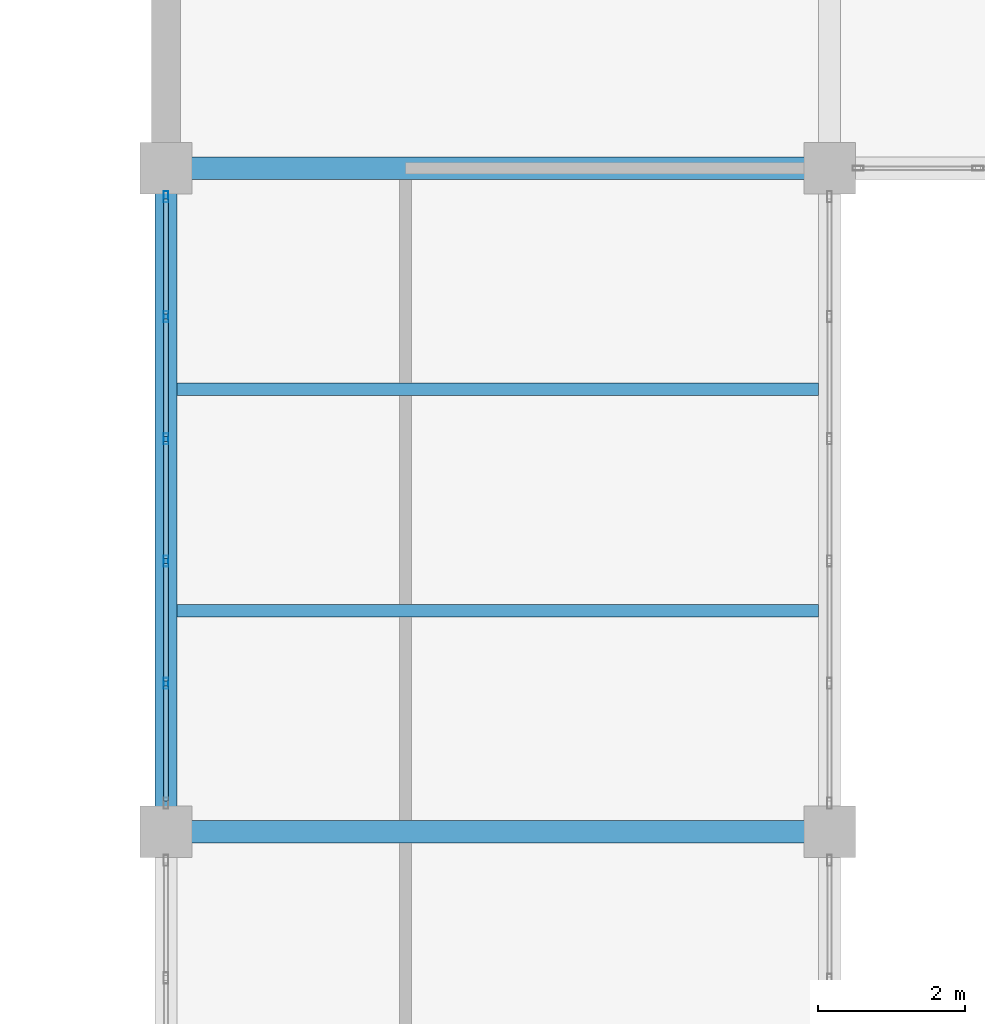
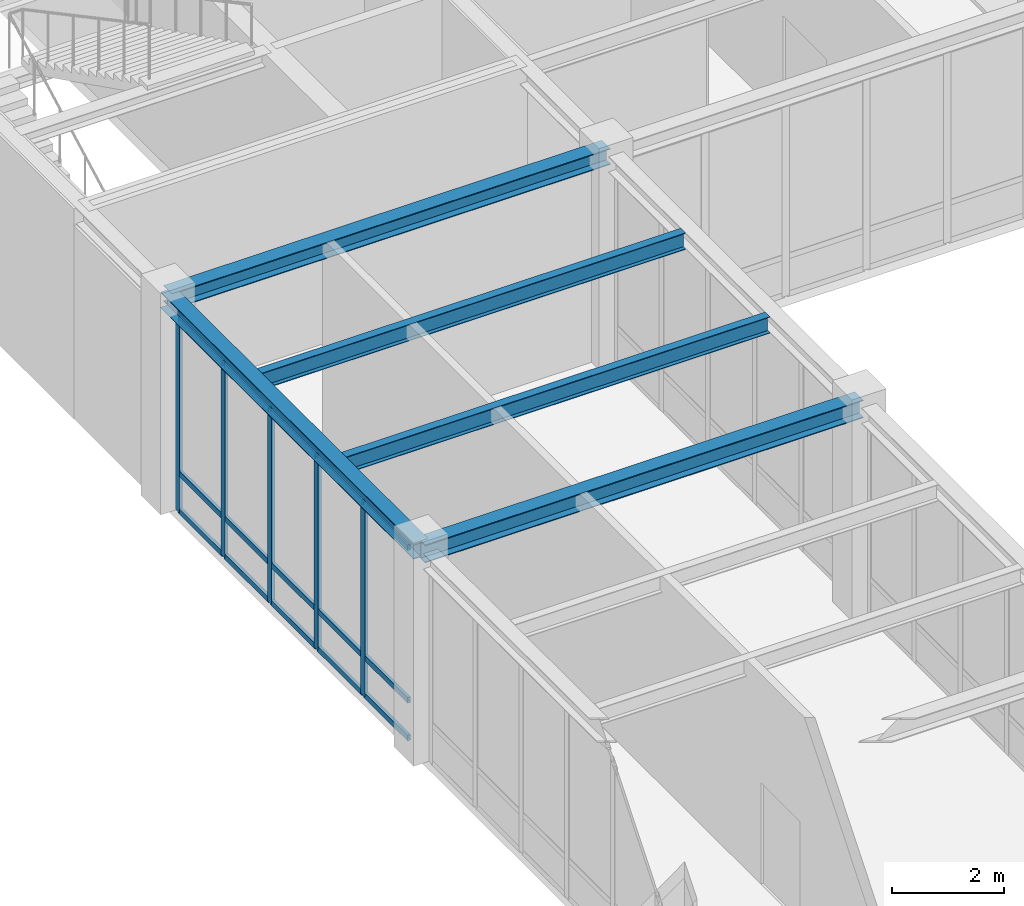
# One storey, part 23 of 92: 20 members, 5 beams, 1 element without a shape of its own.
"""IFC4 building model written with IfcOpenShell, lengths in metres."""

import ifcopenshell
import ifcopenshell.guid

model = None  # the IFC model being written
_history = None  # IfcOwnerHistory: only IFC2X3 demands one
_inside = {}  # id of a spatial element -> (the spatial element, [elements in it])
_under = {}  # id of a project, library or spatial element -> (it, [spatial elements below it])
_declared = {}  # id of a project -> (the project, [libraries it declares])
_typed = {}  # id of a type object -> (the type object, [elements of that type])
_made_of = {}  # id of a material, layer set ... -> (it, [elements and type objects made of it])


def new_model(schema):
    """Start an empty IFC model of exactly this schema.

    Asked for "IFC4X3", IfcOpenShell would pick the latest addendum, in which some entities
    have other attributes; the version numbers below select the first issue.
    IFC2X3 requires an IfcOwnerHistory on every rooted entity: one is made here for all.
    """
    global model, _history
    if schema == "IFC4X3":
        model = ifcopenshell.file(schema_version=(4, 3, 0, 0))
    else:
        model = ifcopenshell.file(schema=schema)
    _inside.clear()
    _under.clear()
    _declared.clear()
    _typed.clear()
    _made_of.clear()
    _history = None
    if model.schema == "IFC2X3":
        org = make("IfcOrganization", Name="unknown")
        user = make(
            "IfcPersonAndOrganization",
            ThePerson=make("IfcPerson", FamilyName="unknown"),
            TheOrganization=org,
        )
        app = make(
            "IfcApplication",
            ApplicationDeveloper=org,
            Version="unknown",
            ApplicationFullName="unknown",
            ApplicationIdentifier="unknown",
        )
        _history = make(
            "IfcOwnerHistory",
            OwningUser=user,
            OwningApplication=app,
            ChangeAction="ADDED",
            CreationDate=0,
        )
    return model


def make(cls, **values):
    """One entity of the class cls with the attributes given. An attribute that is None is left unset."""
    return model.create_entity(
        cls, **{name: value for name, value in values.items() if value is not None}
    )


def rooted(cls, **values):
    """An entity with a GlobalId (a new one), such as an element, a storey or a relation."""
    return make(cls, GlobalId=ifcopenshell.guid.new(), OwnerHistory=_history, **values)


def si_unit(unit_type, name, prefix=None):
    """IfcSIUnit, for example si_unit("LENGTHUNIT", "METRE", prefix="MILLI")."""
    return make("IfcSIUnit", UnitType=unit_type, Prefix=prefix, Name=name)


def assignment(units):
    """IfcUnitAssignment: the units of a project."""
    return None if units is None else make("IfcUnitAssignment", Units=units)


def point(xyz):
    """IfcCartesianPoint."""
    return None if xyz is None else make("IfcCartesianPoint", Coordinates=xyz)


def direction(xyz):
    """IfcDirection."""
    return None if xyz is None else make("IfcDirection", DirectionRatios=xyz)


def frame(location, z_axis=None, x_axis=None):
    """IfcAxis2Placement3D, a coordinate frame: its origin and axes. An axis left out is left unset."""
    return make(
        "IfcAxis2Placement3D",
        Location=point(location),
        Axis=direction(z_axis),
        RefDirection=direction(x_axis),
    )


def frame_2d(location, x_axis=None):
    """IfcAxis2Placement2D, a coordinate frame in the plane: its origin and x axis."""
    return make(
        "IfcAxis2Placement2D", Location=point(location), RefDirection=direction(x_axis)
    )


def origin():
    """The frame at (0, 0, 0) with its axes left unset."""
    return frame((0.0, 0.0, 0.0))


def origin_2d():
    """The frame at (0, 0) in the plane with its x axis left unset."""
    return frame_2d((0.0, 0.0))


def place(relative_to, where):
    """IfcLocalPlacement: puts the frame where relative to a parent placement (None: the world)."""
    return make(
        "IfcLocalPlacement", PlacementRelTo=relative_to, RelativePlacement=where
    )


def context(
    kind, dimensions, precision=None, world=None, true_north=None, identifier=None
):
    """IfcGeometricRepresentationContext, for example the 3D "Model" context."""
    return make(
        "IfcGeometricRepresentationContext",
        ContextIdentifier=identifier,
        ContextType=kind,
        CoordinateSpaceDimension=dimensions,
        Precision=precision,
        WorldCoordinateSystem=world,
        TrueNorth=true_north,
    )


def subcontext(parent, identifier, kind, view, scale=None):
    """IfcGeometricRepresentationSubContext, for example "Body" below "Model"."""
    return make(
        "IfcGeometricRepresentationSubContext",
        ContextIdentifier=identifier,
        ContextType=kind,
        ParentContext=parent,
        TargetScale=scale,
        TargetView=view,
    )


def project(units=None, contexts=None):
    """IfcProject with its units and contexts."""
    return rooted(
        "IfcProject",
        Name="project",
        RepresentationContexts=contexts,
        UnitsInContext=assignment(units),
    )


def spatial(cls, under=None, at=None, **own):
    """A site, building, storey or space (cls), placed at a placement, below another one or the project."""
    s = rooted(cls, ObjectPlacement=at, **own)
    if under is not None:
        _under.setdefault(under.id(), (under, []))[1].append(s)
    return s


def profile(cls, at=None, kind="AREA", **sizes):
    """A parametric profile (cls). Its sizes go by their IFC names, for example OverallWidth=200.0."""
    return make(cls, ProfileType=kind, Position=at, **sizes)


def hollow_rectangle(**sizes):
    """IfcRectangleHollowProfileDef."""
    return profile("IfcRectangleHollowProfileDef", **sizes)


def i_section(**sizes):
    """IfcIShapeProfileDef."""
    return profile("IfcIShapeProfileDef", **sizes)


def extrude(swept, where, along, depth):
    """IfcExtrudedAreaSolid: the profile swept, set in the frame where, extruded along a direction by depth."""
    return make(
        "IfcExtrudedAreaSolid",
        SweptArea=swept,
        Position=where,
        ExtrudedDirection=direction(along),
        Depth=depth,
    )


def shape(context_of_items, identifier, shape_type, items):
    """IfcShapeRepresentation: the items that make up one representation, for example the "Body"."""
    return make(
        "IfcShapeRepresentation",
        ContextOfItems=context_of_items,
        RepresentationIdentifier=identifier,
        RepresentationType=shape_type,
        Items=items,
    )


def material(Name=None, Category=None):
    """IfcMaterial."""
    return make("IfcMaterial", Name=Name, Category=Category)


def material_profile(
    of_material, cross_section, Name=None, Category=None, Priority=None
):
    """IfcMaterialProfile: a cross section and its material."""
    return make(
        "IfcMaterialProfile",
        Name=Name,
        Material=of_material,
        Profile=cross_section,
        Priority=Priority,
        Category=Category,
    )


def profile_set(profiles, Name=None, composite=None):
    """IfcMaterialProfileSet."""
    return make(
        "IfcMaterialProfileSet",
        Name=Name,
        MaterialProfiles=profiles,
        CompositeProfile=composite,
    )


def made_of(thing, what):
    """Note that an element or type object is made of a material, layer set ...; save() writes the relation."""
    if what is not None:
        _made_of.setdefault(what.id(), (what, []))[1].append(thing)
    return thing


def type_object(cls, material=None, **own):
    """A type object (cls), such as IfcWallType, which elements share."""
    return made_of(rooted(cls, **own), material)


def element(
    cls,
    number,
    at=None,
    inside=None,
    cuts=None,
    type_object=None,
    material=None,
    context=None,
    identifier="Body",
    shape_type=None,
    held_by="IfcProductDefinitionShape",
    body=None,
    shapes=None,
    **own,
):
    """One element of the class cls, such as IfcWall. Its Tag is "e" and its number.

    at: its placement. inside: the storey or other place that contains it. cuts: it is an
    opening in that element (IfcRelVoidsElement). A single representation is given by context,
    identifier, shape_type and body (its items); several are given by shapes. held_by: the class
    of the entity that holds the representations. save() writes the other relations.
    """
    e = rooted(cls, Tag="e%d" % number, ObjectPlacement=at, **own)
    if body is not None:
        shapes = [shape(context, identifier, shape_type, body)]
    if shapes is not None:
        e.Representation = make(held_by, Representations=shapes)
    if inside is not None:
        _inside.setdefault(inside.id(), (inside, []))[1].append(e)
    if cuts is not None:
        rooted(
            "IfcRelVoidsElement", RelatingBuildingElement=cuts, RelatedOpeningElement=e
        )
    if type_object is not None:
        _typed.setdefault(type_object.id(), (type_object, []))[1].append(e)
    return made_of(e, material)


def aggregate(whole, parts):
    """IfcRelAggregates: a whole, such as a stair, and the parts it consists of."""
    return rooted("IfcRelAggregates", RelatingObject=whole, RelatedObjects=parts)


def save(model, path):
    """Write the relations noted so far, then the file.

    IfcRelAggregates (storeys below a building ...), IfcRelContainedInSpatialStructure (elements
    in a storey), IfcRelDefinesByType, IfcRelAssociatesMaterial and IfcRelDeclares: one each for
    every whole, place, type object, material and project.
    """
    for whole, parts in _under.values():
        aggregate(whole, parts)
    for where, things in _inside.values():
        rooted(
            "IfcRelContainedInSpatialStructure",
            RelatedElements=things,
            RelatingStructure=where,
        )
    for kind, things in _typed.values():
        rooted("IfcRelDefinesByType", RelatedObjects=things, RelatingType=kind)
    for what, things in _made_of.values():
        rooted("IfcRelAssociatesMaterial", RelatedObjects=things, RelatingMaterial=what)
    for by, libraries in _declared.values():
        rooted("IfcRelDeclares", RelatingContext=by, RelatedDefinitions=libraries)
    model.write(path)


model = new_model("IFC4")

# Units and contexts
model_context = context("Model", 3, precision=1e-05, world=origin(), true_north=direction((0.0, 1.0)))
body_context = subcontext(model_context, "Body", "Model", "MODEL_VIEW")
ifc_project = project(units=[si_unit("LENGTHUNIT", "METRE"), si_unit("AREAUNIT", "SQUARE_METRE"), si_unit("VOLUMEUNIT", "CUBIC_METRE"), si_unit("PLANEANGLEUNIT", "RADIAN"), si_unit("MASSUNIT", "GRAM", prefix="KILO")], contexts=[model_context])

# Site, building, storey
site_placement = place(None, origin())
site = spatial("IfcSite", under=ifc_project, at=site_placement, CompositionType="ELEMENT")
building_placement = place(site_placement, origin())
building = spatial("IfcBuilding", under=site, at=building_placement, Name="Lykobir Media Centre", CompositionType="ELEMENT")
storey_placement = place(building_placement, frame((0.0, 0.0, 5.39990234375)))
storey = spatial("IfcBuildingStorey", under=building, at=storey_placement, Name="L01", CompositionType="ELEMENT", Elevation=5.39990234375)

# Beam
ifc_material_1 = material(Name="Steel S355", Category="steel")
ifc_material_profile_1 = material_profile(ifc_material_1, i_section(OverallWidth=0.300048828125, OverallDepth=0.389892578125, WebThickness=0.010986328125, FlangeThickness=0.01904296875, at=origin_2d()), Name="HEA 400")
ifc_profile_set_1 = profile_set([ifc_material_profile_1], Name="Steel S355")
beam_type_1 = type_object("IfcBeamType", Name="BM-HEA400", PredefinedType="BEAM", material=ifc_profile_set_1)
beam_placement = place(storey_placement, frame((27.0, 54.0, 4.364990234375), z_axis=(1.0, 0.0, 0.0), x_axis=(0.0, 1.0, 0.0)))
element("IfcBeam", 1, at=beam_placement, inside=storey, type_object=beam_type_1, Name="Beam BM-L01-0270-0540-0360-0540-976", PredefinedType="BEAM", context=body_context, shape_type="SweptSolid", body=[
    extrude(i_section(OverallWidth=0.300048828125, OverallDepth=0.389892578125, WebThickness=0.010986328125, FlangeThickness=0.01904296875, at=origin_2d()), origin(), (0.0, 0.0, 1.0), 9.0),
])

# Curtain wall, members
ifc_material_2 = material(Name="Anodized Aluminium AW-6060", Category="aluminium")
curtain_wall_type = type_object("IfcCurtainWallType", Name="CW-COURT-A", PredefinedType="NOTDEFINED", material=ifc_material_2)
curtain_wall_placement = place(storey_placement, origin())
curtain_wall = element("IfcCurtainWall", 2, at=curtain_wall_placement, inside=storey, type_object=curtain_wall_type, Name="Curtain wall CW2-L01-0069", PredefinedType="NOTDEFINED")
ifc_material_profile_2 = material_profile(ifc_material_2, hollow_rectangle(XDim=0.06494140625, YDim=0.14990234375, WallThickness=0.00341796875, at=origin_2d()), Name="ALU MULLION 65x150")
ifc_profile_set_2 = profile_set([ifc_material_profile_2], Name="Anodized Aluminium AW-6060")
member_type_1 = type_object("IfcMemberType", Name="CWM-150", PredefinedType="MULLION", material=ifc_profile_set_2)
member_1_placement = place(storey_placement, frame((27.0, 56.012939453125, 0.0), z_axis=(0.0, 0.0, 1.0), x_axis=(-1.0, 0.0, 0.0)))
member_1 = element("IfcMember", 3, at=member_1_placement, type_object=member_type_1, Name="CW2-L01-0069 mullion 2", PredefinedType="MULLION", context=body_context, shape_type="SweptSolid", body=[
    extrude(hollow_rectangle(XDim=0.06494140625, YDim=0.14990234375, WallThickness=0.00341796875, at=origin_2d()), origin(), (0.0, 0.0, 1.0), 4.195068359375),
])
member_2_placement = place(storey_placement, frame((27.0, 57.6708984375, 0.0), z_axis=(0.0, 0.0, 1.0), x_axis=(-1.0, 0.0, 0.0)))
member_2 = element("IfcMember", 4, at=member_2_placement, type_object=member_type_1, Name="CW2-L01-0069 mullion 3", PredefinedType="MULLION", context=body_context, shape_type="SweptSolid", body=[
    extrude(hollow_rectangle(XDim=0.06494140625, YDim=0.14990234375, WallThickness=0.00341796875, at=origin_2d()), origin(), (0.0, 0.0, 1.0), 4.195068359375),
])
member_3_placement = place(storey_placement, frame((27.0, 59.3291015625, 0.0), z_axis=(0.0, 0.0, 1.0), x_axis=(-1.0, 0.0, 0.0)))
member_3 = element("IfcMember", 5, at=member_3_placement, type_object=member_type_1, Name="CW2-L01-0069 mullion 4", PredefinedType="MULLION", context=body_context, shape_type="SweptSolid", body=[
    extrude(hollow_rectangle(XDim=0.06494140625, YDim=0.14990234375, WallThickness=0.00341796875, at=origin_2d()), origin(), (0.0, 0.0, 1.0), 4.195068359375),
])
member_4_placement = place(storey_placement, frame((27.0, 60.987060546875, 0.0), z_axis=(0.0, 0.0, 1.0), x_axis=(-1.0, 0.0, 0.0)))
member_4 = element("IfcMember", 6, at=member_4_placement, type_object=member_type_1, Name="CW2-L01-0069 mullion 5", PredefinedType="MULLION", context=body_context, shape_type="SweptSolid", body=[
    extrude(hollow_rectangle(XDim=0.06494140625, YDim=0.14990234375, WallThickness=0.00341796875, at=origin_2d()), origin(), (0.0, 0.0, 1.0), 4.195068359375),
])
member_5_placement = place(storey_placement, frame((27.0, 62.612548828125, 0.0), z_axis=(0.0, 0.0, 1.0), x_axis=(-1.0, 0.0, 0.0)))
member_5 = element("IfcMember", 7, at=member_5_placement, type_object=member_type_1, Name="CW2-L01-0069 mullion 6", PredefinedType="MULLION", context=body_context, shape_type="SweptSolid", body=[
    extrude(hollow_rectangle(XDim=0.06494140625, YDim=0.14990234375, WallThickness=0.00341796875, at=origin_2d()), origin(), (0.0, 0.0, 1.0), 4.195068359375),
])
ifc_material_profile_3 = material_profile(ifc_material_2, hollow_rectangle(XDim=0.06494140625, YDim=0.1201171875, WallThickness=0.0029296875, at=origin_2d()), Name="ALU TRANSOM 65x120")
ifc_profile_set_3 = profile_set([ifc_material_profile_3], Name="Anodized Aluminium AW-6060")
member_type_2 = type_object("IfcMemberType", Name="CWT-120", PredefinedType="USERDEFINED", material=ifc_profile_set_3)
member_6_placement = place(storey_placement, frame((27.0, 54.419921875, 0.03271484375), z_axis=(0.0, 1.0, 0.0), x_axis=(-1.0, 0.0, 0.0)))
member_6 = element("IfcMember", 8, at=member_6_placement, type_object=member_type_2, Name="CW2-L01-0069 transom 1.1", ObjectType="TRANSOM", PredefinedType="USERDEFINED", context=body_context, shape_type="SweptSolid", body=[
    extrude(hollow_rectangle(XDim=0.06494140625, YDim=0.1201171875, WallThickness=0.0029296875, at=origin_2d()), origin(), (0.0, 0.0, 1.0), 1.560546875),
])
member_7_placement = place(storey_placement, frame((27.0, 54.419921875, 0.85009765625), z_axis=(0.0, 1.0, 0.0), x_axis=(-1.0, 0.0, 0.0)))
member_7 = element("IfcMember", 9, at=member_7_placement, type_object=member_type_2, Name="CW2-L01-0069 transom 1.2", ObjectType="TRANSOM", PredefinedType="USERDEFINED", context=body_context, shape_type="SweptSolid", body=[
    extrude(hollow_rectangle(XDim=0.06494140625, YDim=0.1201171875, WallThickness=0.0029296875, at=origin_2d()), origin(), (0.0, 0.0, 1.0), 1.560546875),
])
member_8_placement = place(storey_placement, frame((27.0, 54.419921875, 4.16259765625), z_axis=(0.0, 1.0, 0.0), x_axis=(-1.0, 0.0, 0.0)))
member_8 = element("IfcMember", 10, at=member_8_placement, type_object=member_type_2, Name="CW2-L01-0069 transom 1.3", ObjectType="TRANSOM", PredefinedType="USERDEFINED", context=body_context, shape_type="SweptSolid", body=[
    extrude(hollow_rectangle(XDim=0.06494140625, YDim=0.1201171875, WallThickness=0.0029296875, at=origin_2d()), origin(), (0.0, 0.0, 1.0), 1.560546875),
])
member_9_placement = place(storey_placement, frame((27.0, 56.04541015625, 0.03271484375), z_axis=(0.0, 1.0, 0.0), x_axis=(-1.0, 0.0, 0.0)))
member_9 = element("IfcMember", 11, at=member_9_placement, type_object=member_type_2, Name="CW2-L01-0069 transom 2.1", ObjectType="TRANSOM", PredefinedType="USERDEFINED", context=body_context, shape_type="SweptSolid", body=[
    extrude(hollow_rectangle(XDim=0.06494140625, YDim=0.1201171875, WallThickness=0.0029296875, at=origin_2d()), origin(), (0.0, 0.0, 1.0), 1.593017578125),
])
member_10_placement = place(storey_placement, frame((27.0, 56.04541015625, 0.85009765625), z_axis=(0.0, 1.0, 0.0), x_axis=(-1.0, 0.0, 0.0)))
member_10 = element("IfcMember", 12, at=member_10_placement, type_object=member_type_2, Name="CW2-L01-0069 transom 2.2", ObjectType="TRANSOM", PredefinedType="USERDEFINED", context=body_context, shape_type="SweptSolid", body=[
    extrude(hollow_rectangle(XDim=0.06494140625, YDim=0.1201171875, WallThickness=0.0029296875, at=origin_2d()), origin(), (0.0, 0.0, 1.0), 1.593017578125),
])
member_11_placement = place(storey_placement, frame((27.0, 56.04541015625, 4.16259765625), z_axis=(0.0, 1.0, 0.0), x_axis=(-1.0, 0.0, 0.0)))
member_11 = element("IfcMember", 13, at=member_11_placement, type_object=member_type_2, Name="CW2-L01-0069 transom 2.3", ObjectType="TRANSOM", PredefinedType="USERDEFINED", context=body_context, shape_type="SweptSolid", body=[
    extrude(hollow_rectangle(XDim=0.06494140625, YDim=0.1201171875, WallThickness=0.0029296875, at=origin_2d()), origin(), (0.0, 0.0, 1.0), 1.593017578125),
])
member_12_placement = place(storey_placement, frame((27.0, 57.70361328125, 0.03271484375), z_axis=(0.0, 1.0, 0.0), x_axis=(-1.0, 0.0, 0.0)))
member_12 = element("IfcMember", 14, at=member_12_placement, type_object=member_type_2, Name="CW2-L01-0069 transom 3.1", ObjectType="TRANSOM", PredefinedType="USERDEFINED", context=body_context, shape_type="SweptSolid", body=[
    extrude(hollow_rectangle(XDim=0.06494140625, YDim=0.1201171875, WallThickness=0.0029296875, at=origin_2d()), origin(), (0.0, 0.0, 1.0), 1.5927734375),
])
member_13_placement = place(storey_placement, frame((27.0, 57.70361328125, 0.85009765625), z_axis=(0.0, 1.0, 0.0), x_axis=(-1.0, 0.0, 0.0)))
member_13 = element("IfcMember", 15, at=member_13_placement, type_object=member_type_2, Name="CW2-L01-0069 transom 3.2", ObjectType="TRANSOM", PredefinedType="USERDEFINED", context=body_context, shape_type="SweptSolid", body=[
    extrude(hollow_rectangle(XDim=0.06494140625, YDim=0.1201171875, WallThickness=0.0029296875, at=origin_2d()), origin(), (0.0, 0.0, 1.0), 1.5927734375),
])
member_14_placement = place(storey_placement, frame((27.0, 57.70361328125, 4.16259765625), z_axis=(0.0, 1.0, 0.0), x_axis=(-1.0, 0.0, 0.0)))
member_14 = element("IfcMember", 16, at=member_14_placement, type_object=member_type_2, Name="CW2-L01-0069 transom 3.3", ObjectType="TRANSOM", PredefinedType="USERDEFINED", context=body_context, shape_type="SweptSolid", body=[
    extrude(hollow_rectangle(XDim=0.06494140625, YDim=0.1201171875, WallThickness=0.0029296875, at=origin_2d()), origin(), (0.0, 0.0, 1.0), 1.5927734375),
])
member_15_placement = place(storey_placement, frame((27.0, 59.361572265625, 0.03271484375), z_axis=(0.0, 1.0, 0.0), x_axis=(-1.0, 0.0, 0.0)))
member_15 = element("IfcMember", 17, at=member_15_placement, type_object=member_type_2, Name="CW2-L01-0069 transom 4.1", ObjectType="TRANSOM", PredefinedType="USERDEFINED", context=body_context, shape_type="SweptSolid", body=[
    extrude(hollow_rectangle(XDim=0.06494140625, YDim=0.1201171875, WallThickness=0.0029296875, at=origin_2d()), origin(), (0.0, 0.0, 1.0), 1.593017578125),
])
member_16_placement = place(storey_placement, frame((27.0, 59.361572265625, 0.85009765625), z_axis=(0.0, 1.0, 0.0), x_axis=(-1.0, 0.0, 0.0)))
member_16 = element("IfcMember", 18, at=member_16_placement, type_object=member_type_2, Name="CW2-L01-0069 transom 4.2", ObjectType="TRANSOM", PredefinedType="USERDEFINED", context=body_context, shape_type="SweptSolid", body=[
    extrude(hollow_rectangle(XDim=0.06494140625, YDim=0.1201171875, WallThickness=0.0029296875, at=origin_2d()), origin(), (0.0, 0.0, 1.0), 1.593017578125),
])
member_17_placement = place(storey_placement, frame((27.0, 59.361572265625, 4.16259765625), z_axis=(0.0, 1.0, 0.0), x_axis=(-1.0, 0.0, 0.0)))
member_17 = element("IfcMember", 19, at=member_17_placement, type_object=member_type_2, Name="CW2-L01-0069 transom 4.3", ObjectType="TRANSOM", PredefinedType="USERDEFINED", context=body_context, shape_type="SweptSolid", body=[
    extrude(hollow_rectangle(XDim=0.06494140625, YDim=0.1201171875, WallThickness=0.0029296875, at=origin_2d()), origin(), (0.0, 0.0, 1.0), 1.593017578125),
])
member_18_placement = place(storey_placement, frame((27.0, 61.01953125, 0.03271484375), z_axis=(0.0, 1.0, 0.0), x_axis=(-1.0, 0.0, 0.0)))
member_18 = element("IfcMember", 20, at=member_18_placement, type_object=member_type_2, Name="CW2-L01-0069 transom 5.1", ObjectType="TRANSOM", PredefinedType="USERDEFINED", context=body_context, shape_type="SweptSolid", body=[
    extrude(hollow_rectangle(XDim=0.06494140625, YDim=0.1201171875, WallThickness=0.0029296875, at=origin_2d()), origin(), (0.0, 0.0, 1.0), 1.560546875),
])
member_19_placement = place(storey_placement, frame((27.0, 61.01953125, 0.85009765625), z_axis=(0.0, 1.0, 0.0), x_axis=(-1.0, 0.0, 0.0)))
member_19 = element("IfcMember", 21, at=member_19_placement, type_object=member_type_2, Name="CW2-L01-0069 transom 5.2", ObjectType="TRANSOM", PredefinedType="USERDEFINED", context=body_context, shape_type="SweptSolid", body=[
    extrude(hollow_rectangle(XDim=0.06494140625, YDim=0.1201171875, WallThickness=0.0029296875, at=origin_2d()), origin(), (0.0, 0.0, 1.0), 1.560546875),
])
member_20_placement = place(storey_placement, frame((27.0, 61.01953125, 4.16259765625), z_axis=(0.0, 1.0, 0.0), x_axis=(-1.0, 0.0, 0.0)))
member_20 = element("IfcMember", 22, at=member_20_placement, type_object=member_type_2, Name="CW2-L01-0069 transom 5.3", ObjectType="TRANSOM", PredefinedType="USERDEFINED", context=body_context, shape_type="SweptSolid", body=[
    extrude(hollow_rectangle(XDim=0.06494140625, YDim=0.1201171875, WallThickness=0.0029296875, at=origin_2d()), origin(), (0.0, 0.0, 1.0), 1.560546875),
])
aggregate(curtain_wall, [member_1, member_2, member_3, member_4, member_5, member_6, member_7, member_8, member_9, member_10, member_11, member_12, member_13, member_14, member_15, member_16, member_17, member_18, member_19, member_20])

# Beams
ifc_material_profile_4 = material_profile(ifc_material_1, i_section(OverallWidth=0.169921875, OverallDepth=0.360107421875, WebThickness=0.008056640625, FlangeThickness=0.0126953125, at=origin_2d()), Name="IPE 360")
ifc_profile_set_4 = profile_set([ifc_material_profile_4], Name="Steel S355")
beam_type_2 = type_object("IfcBeamType", Name="JS-IPE360", PredefinedType="JOIST", material=ifc_profile_set_4)
for number, where, z_axis, x_axis, name in (
    (23, (27.14990234375, 57.0, 4.380126953125), (1.0, 0.0, 0.0), (0.0, 1.0, 0.0), "Beam BM-L01-0272-0570-0358-0570-978"),
    (24, (27.14990234375, 60.0, 4.380126953125), (1.0, 0.0, 0.0), (0.0, 1.0, 0.0), "Beam BM-L01-0272-0600-0358-0600-978"),
):
    element("IfcBeam", number, at=place(storey_placement, frame(where, z_axis=z_axis, x_axis=x_axis)), inside=storey, type_object=beam_type_2, Name=name, PredefinedType="JOIST", context=body_context, shape_type="SweptSolid", body=[
        extrude(i_section(OverallWidth=0.169921875, OverallDepth=0.360107421875, WebThickness=0.008056640625, FlangeThickness=0.0126953125, at=origin_2d()), origin(), (0.0, 0.0, 1.0), 8.7001953125),
    ])
ifc_material_profile_5 = material_profile(ifc_material_1, i_section(OverallWidth=0.300048828125, OverallDepth=0.35009765625, WebThickness=0.010009765625, FlangeThickness=0.017578125, at=origin_2d()), Name="HEA 360")
ifc_profile_set_5 = profile_set([ifc_material_profile_5], Name="Steel S355")
beam_type_3 = type_object("IfcBeamType", Name="SP-HEA360", PredefinedType="SPANDREL", material=ifc_profile_set_5)
for number, where, z_axis, x_axis, name in (
    (25, (27.0, 63.0, 4.385009765625), (1.0, 0.0, 0.0), (0.0, 1.0, 0.0), "Beam BM-L01-0270-0630-0360-0630-978"),
    (26, (27.0, 54.0, 4.385009765625), (0.0, 1.0, 0.0), (-1.0, 0.0, 0.0), "Beam BM-L01-0270-0540-0270-0630-978"),
):
    element("IfcBeam", number, at=place(storey_placement, frame(where, z_axis=z_axis, x_axis=x_axis)), inside=storey, type_object=beam_type_3, Name=name, PredefinedType="SPANDREL", context=body_context, shape_type="SweptSolid", body=[
        extrude(i_section(OverallWidth=0.300048828125, OverallDepth=0.35009765625, WebThickness=0.010009765625, FlangeThickness=0.017578125, at=origin_2d()), origin(), (0.0, 0.0, 1.0), 9.0),
    ])

save(model, "model.ifc")
